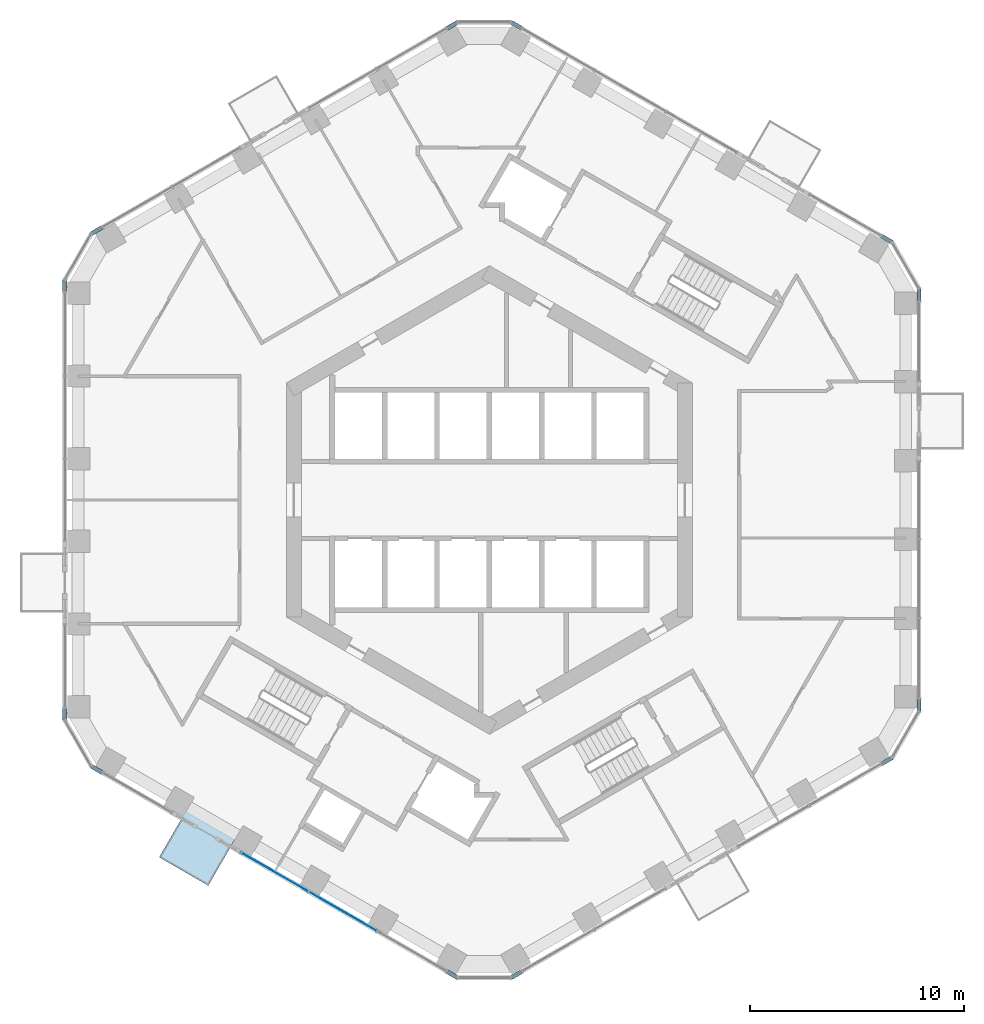
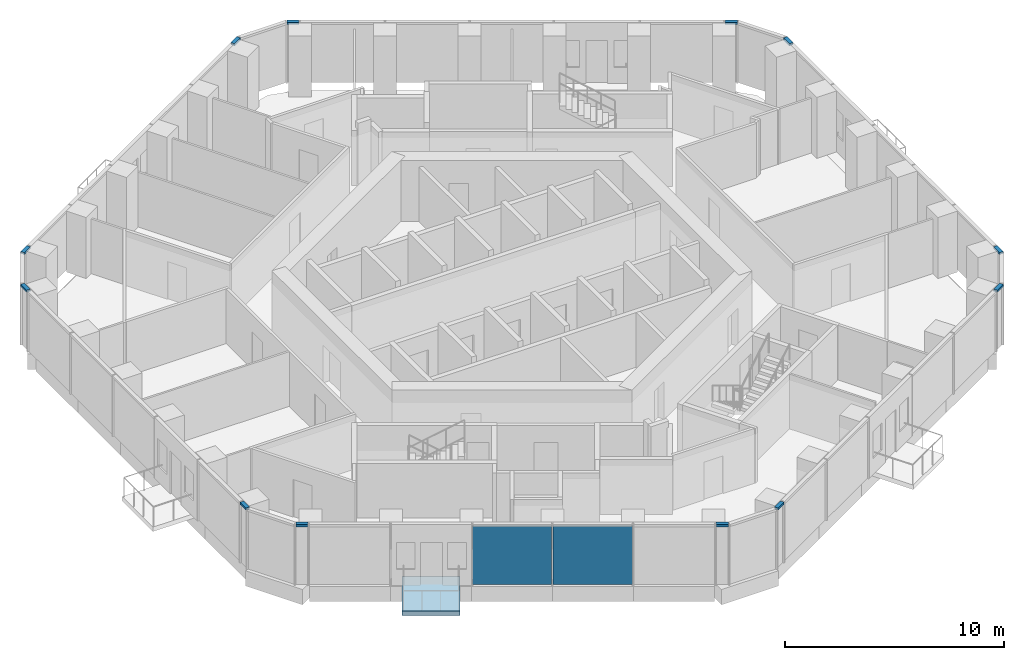
# One storey, part 8 of 20: 12 members, 2 plates, 1 slab, 7 elements without a shape of their own.
"""IFC4 building model written with IfcOpenShell, lengths in metres."""

from ifc_helpers import new_model, si_unit, direction, frame, origin, origin_2d, place, context, subcontext, project, spatial, polyline, rectangle, outline, extrude, material, layer, layer_set, material_profile, profile_set, type_object, element, aggregate, save


model = new_model("IFC4")

# Units and contexts
model_context = context("Model", 3, precision=1e-05, world=origin(), true_north=direction((0.0, 1.0)))
body_context = subcontext(model_context, "Body", "Model", "MODEL_VIEW")
ifc_project = project(units=[si_unit("LENGTHUNIT", "METRE"), si_unit("AREAUNIT", "SQUARE_METRE"), si_unit("VOLUMEUNIT", "CUBIC_METRE"), si_unit("PLANEANGLEUNIT", "RADIAN"), si_unit("MASSUNIT", "GRAM", prefix="KILO")], contexts=[model_context])

# Site, building, storey
site_placement = place(None, origin())
site = spatial("IfcSite", under=ifc_project, at=site_placement, CompositionType="ELEMENT")
building_placement = place(site_placement, origin())
building = spatial("IfcBuilding", under=site, at=building_placement, Name="Ayvan Gate Tower", CompositionType="ELEMENT")
storey_placement = place(building_placement, frame((0.0, 0.0, 96.699951171875)))
storey = spatial("IfcBuildingStorey", under=building, at=storey_placement, Name="L25", CompositionType="ELEMENT", Elevation=96.699951171875)

# Curtain wall, members
ifc_material_1 = material(Name="Bronze anodised aluminium", Category="aluminium")
ifc_layer_1 = layer(ifc_material_1, 0.199951171875)
ifc_layer_set_1 = layer_set([ifc_layer_1], Name="Bronze anodised aluminium")
curtain_wall_type_1 = type_object("IfcCurtainWallType", Name="Stick curtain wall CW-6", PredefinedType="NOTDEFINED", material=ifc_layer_set_1)
curtain_wall_1_placement = place(storey_placement, origin())
curtain_wall_1 = element("IfcCurtainWall", 1, at=curtain_wall_1_placement, inside=storey, type_object=curtain_wall_type_1, Name="Stick curtain wall CW-6 L25", PredefinedType="NOTDEFINED")
ifc_material_profile = material_profile(ifc_material_1, rectangle(XDim=0.199951171875, YDim=0.1201171875, at=origin_2d()), Name="Stick curtain wall CW-6 transom 200 x 120")
ifc_profile_set = profile_set([ifc_material_profile], Name="Bronze anodised aluminium")
member_type = type_object("IfcMemberType", Name="Stick curtain wall CW-6 transom 200 x 120", PredefinedType="USERDEFINED", material=ifc_profile_set)
member_1_placement = place(storey_placement, frame((-18.1318359375, 12.753173828125, 3.340087890625), z_axis=(-0.866104278045, -0.499863360881, 0.0), x_axis=(0.499863360881, -0.866104278045, 0.0)))
member_1 = element("IfcMember", 2, at=member_1_placement, type_object=member_type, Name="CW-6 transom 1", ObjectType="TRANSOM", PredefinedType="USERDEFINED", context=body_context, shape_type="SweptSolid", body=[
    extrude(rectangle(XDim=0.199951171875, YDim=0.1201171875, at=origin_2d()), origin(), (0.0, 0.0, 1.0), 0.550048828125),
])
member_2_placement = place(storey_placement, frame((-19.873291015625, 10.287353515625, 3.340087890625), z_axis=(0.0, -1.0, 0.0), x_axis=(1.0, 0.0, 0.0)))
member_2 = element("IfcMember", 3, at=member_2_placement, type_object=member_type, Name="CW-6 transom 3", ObjectType="TRANSOM", PredefinedType="USERDEFINED", context=body_context, shape_type="SweptSolid", body=[
    extrude(rectangle(XDim=0.199951171875, YDim=0.1201171875, at=origin_2d()), origin(), (0.0, 0.0, 1.0), 0.550048828125),
])
aggregate(curtain_wall_1, [member_1, member_2])

curtain_wall_2_placement = place(storey_placement, origin())
curtain_wall_2 = element("IfcCurtainWall", 4, at=curtain_wall_2_placement, inside=storey, type_object=curtain_wall_type_1, Name="Stick curtain wall CW-6 L25", PredefinedType="NOTDEFINED")
member_3_placement = place(storey_placement, frame((-19.873291015625, -9.7373046875, 3.340087890625), z_axis=(0.0, -1.0, 0.0), x_axis=(1.0, 0.0, 0.0)))
member_3 = element("IfcMember", 5, at=member_3_placement, type_object=member_type, Name="CW-6 transom 1", ObjectType="TRANSOM", PredefinedType="USERDEFINED", context=body_context, shape_type="SweptSolid", body=[
    extrude(rectangle(XDim=0.199951171875, YDim=0.1201171875, at=origin_2d()), origin(), (0.0, 0.0, 1.0), 0.550048828125),
])
member_4_placement = place(storey_placement, frame((-18.608154296875, -12.478271484375, 3.340087890625), z_axis=(0.866104278045, -0.499863360881, 0.0), x_axis=(0.499863360881, 0.866104278045, 0.0)))
member_4 = element("IfcMember", 6, at=member_4_placement, type_object=member_type, Name="CW-6 transom 3", ObjectType="TRANSOM", PredefinedType="USERDEFINED", context=body_context, shape_type="SweptSolid", body=[
    extrude(rectangle(XDim=0.199951171875, YDim=0.1201171875, at=origin_2d()), origin(), (0.0, 0.0, 1.0), 0.550048828125),
])
aggregate(curtain_wall_2, [member_3, member_4])

curtain_wall_3_placement = place(storey_placement, origin())
curtain_wall_3 = element("IfcCurtainWall", 7, at=curtain_wall_3_placement, inside=storey, type_object=curtain_wall_type_1, Name="Stick curtain wall CW-6 L25", PredefinedType="NOTDEFINED")
member_5_placement = place(storey_placement, frame((-1.978515625, -22.079345703125, 3.340087890625), z_axis=(0.866104278045, -0.499863360881, 0.0), x_axis=(0.499863360881, 0.866104278045, 0.0)))
member_5 = element("IfcMember", 8, at=member_5_placement, type_object=member_type, Name="CW-6 transom 1", ObjectType="TRANSOM", PredefinedType="USERDEFINED", context=body_context, shape_type="SweptSolid", body=[
    extrude(rectangle(XDim=0.199951171875, YDim=0.1201171875, at=origin_2d()), origin(), (0.0, 0.0, 1.0), 0.550048828125),
])
member_6_placement = place(storey_placement, frame((1.027587890625, -22.354248046875, 3.340087890625), z_axis=(0.866104278045, 0.499863360881, 0.0), x_axis=(-0.499863360881, 0.866104278045, 0.0)))
member_6 = element("IfcMember", 9, at=member_6_placement, type_object=member_type, Name="CW-6 transom 3", ObjectType="TRANSOM", PredefinedType="USERDEFINED", context=body_context, shape_type="SweptSolid", body=[
    extrude(rectangle(XDim=0.199951171875, YDim=0.1201171875, at=origin_2d()), origin(), (0.0, 0.0, 1.0), 0.550048828125),
])
aggregate(curtain_wall_3, [member_5, member_6])

curtain_wall_4_placement = place(storey_placement, origin())
curtain_wall_4 = element("IfcCurtainWall", 10, at=curtain_wall_4_placement, inside=storey, type_object=curtain_wall_type_1, Name="Stick curtain wall CW-6 L25", PredefinedType="NOTDEFINED")
member_7_placement = place(storey_placement, frame((18.369384765625, -12.342041015625, 3.340087890625), z_axis=(0.866104278045, 0.499863360881, 0.0), x_axis=(-0.499863360881, 0.866104278045, 0.0)))
member_7 = element("IfcMember", 11, at=member_7_placement, type_object=member_type, Name="CW-6 transom 1", ObjectType="TRANSOM", PredefinedType="USERDEFINED", context=body_context, shape_type="SweptSolid", body=[
    extrude(rectangle(XDim=0.199951171875, YDim=0.1201171875, at=origin_2d()), origin(), (0.0, 0.0, 1.0), 0.550048828125),
])
member_8_placement = place(storey_placement, frame((20.110595703125, -9.876220703125, 3.340087890625), z_axis=(0.0, 1.0, 0.0), x_axis=(-1.0, 0.0, 0.0)))
member_8 = element("IfcMember", 12, at=member_8_placement, type_object=member_type, Name="CW-6 transom 3", ObjectType="TRANSOM", PredefinedType="USERDEFINED", context=body_context, shape_type="SweptSolid", body=[
    extrude(rectangle(XDim=0.199951171875, YDim=0.1201171875, at=origin_2d()), origin(), (0.0, 0.0, 1.0), 0.550048828125),
])
aggregate(curtain_wall_4, [member_7, member_8])

curtain_wall_5_placement = place(storey_placement, origin())
curtain_wall_5 = element("IfcCurtainWall", 13, at=curtain_wall_5_placement, inside=storey, type_object=curtain_wall_type_1, Name="Stick curtain wall CW-6 L25", PredefinedType="NOTDEFINED")
member_9_placement = place(storey_placement, frame((20.110595703125, 9.326171875, 3.340087890625), z_axis=(0.0, 1.0, 0.0), x_axis=(-1.0, 0.0, 0.0)))
member_9 = element("IfcMember", 14, at=member_9_placement, type_object=member_type, Name="CW-6 transom 1", ObjectType="TRANSOM", PredefinedType="USERDEFINED", context=body_context, shape_type="SweptSolid", body=[
    extrude(rectangle(XDim=0.199951171875, YDim=0.1201171875, at=origin_2d()), origin(), (0.0, 0.0, 1.0), 0.550048828125),
])
member_10_placement = place(storey_placement, frame((18.845703125, 12.067138671875, 3.340087890625), z_axis=(-0.866104278045, 0.499863360881, 0.0), x_axis=(-0.499863360881, -0.866104278045, 0.0)))
member_10 = element("IfcMember", 15, at=member_10_placement, type_object=member_type, Name="CW-6 transom 3", ObjectType="TRANSOM", PredefinedType="USERDEFINED", context=body_context, shape_type="SweptSolid", body=[
    extrude(rectangle(XDim=0.199951171875, YDim=0.1201171875, at=origin_2d()), origin(), (0.0, 0.0, 1.0), 0.550048828125),
])
aggregate(curtain_wall_5, [member_9, member_10])

curtain_wall_6_placement = place(storey_placement, origin())
curtain_wall_6 = element("IfcCurtainWall", 16, at=curtain_wall_6_placement, inside=storey, type_object=curtain_wall_type_1, Name="Stick curtain wall CW-6 L25", PredefinedType="NOTDEFINED")
member_11_placement = place(storey_placement, frame((1.50390625, 22.079345703125, 3.340087890625), z_axis=(-0.866104278045, 0.499863360881, 0.0), x_axis=(-0.499863360881, -0.866104278045, 0.0)))
member_11 = element("IfcMember", 17, at=member_11_placement, type_object=member_type, Name="CW-6 transom 1", ObjectType="TRANSOM", PredefinedType="USERDEFINED", context=body_context, shape_type="SweptSolid", body=[
    extrude(rectangle(XDim=0.199951171875, YDim=0.1201171875, at=origin_2d()), origin(), (0.0, 0.0, 1.0), 0.550048828125),
])
member_12_placement = place(storey_placement, frame((-1.502197265625, 22.354248046875, 3.340087890625), z_axis=(-0.866104278045, -0.499863360881, 0.0), x_axis=(0.499863360881, -0.866104278045, 0.0)))
member_12 = element("IfcMember", 18, at=member_12_placement, type_object=member_type, Name="CW-6 transom 3", ObjectType="TRANSOM", PredefinedType="USERDEFINED", context=body_context, shape_type="SweptSolid", body=[
    extrude(rectangle(XDim=0.199951171875, YDim=0.1201171875, at=origin_2d()), origin(), (0.0, 0.0, 1.0), 0.550048828125),
])
aggregate(curtain_wall_6, [member_11, member_12])

# Slab
ifc_material_2 = material(Name="Concrete C40/50", Category="concrete")
ifc_layer_2 = layer(ifc_material_2, 0.25)
ifc_layer_set_2 = layer_set([ifc_layer_2], Name="Concrete C40/50")
slab_type = type_object("IfcSlabType", Name="Balcony slab 250", PredefinedType="FLOOR", material=ifc_layer_set_2)
slab_placement = place(storey_placement, frame((0.0, 0.0, -0.25)))
element("IfcSlab", 19, at=slab_placement, inside=storey, type_object=slab_type, Name="Balcony slab BAL-L25-4", PredefinedType="FLOOR", context=body_context, shape_type="SweptSolid", body=[
    extrude(outline(polyline([(-14.09130859375, -14.3642578125), (-11.798583984375, -15.68798828125), (-13.160888671875, -18.048095703125), (-15.453857421875, -16.724365234375), (-14.09130859375, -14.3642578125)])), origin(), (0.0, 0.0, 1.0), 0.25),
])

# Curtain wall, plates
ifc_layer_3 = layer(ifc_material_1, 0.199951171875)
ifc_layer_set_3 = layer_set([ifc_layer_3], Name="Bronze anodised aluminium")
curtain_wall_type_2 = type_object("IfcCurtainWallType", Name="Stick curtain wall CW-1", PredefinedType="NOTDEFINED", material=ifc_layer_set_3)
curtain_wall_7_placement = place(storey_placement, origin())
curtain_wall_7 = element("IfcCurtainWall", 20, at=curtain_wall_7_placement, inside=storey, type_object=curtain_wall_type_2, Name="Stick curtain wall CW-1 L25", PredefinedType="NOTDEFINED")
ifc_material_3 = material(Name="Clear low-iron laminated glass", Category="glass")
ifc_layer_4 = layer(ifc_material_3, 0.028076171875)
ifc_layer_set_4 = layer_set([ifc_layer_4], Name="Clear low-iron laminated glass")
plate_type = type_object("IfcPlateType", Name="Stick curtain wall CW-1 glass panel", PredefinedType="CURTAIN_PANEL", material=ifc_layer_set_4)
plate_1_placement = place(storey_placement, frame((-10.055419921875, -17.416259765625, 0.0), z_axis=(0.0, 0.0, 1.0), x_axis=(0.866025403784, -0.5, 0.0)))
plate_1 = element("IfcPlate", 21, at=plate_1_placement, type_object=plate_type, Name="CW-1 glass panel 1", PredefinedType="CURTAIN_PANEL", context=body_context, shape_type="SweptSolid", body=[
    extrude(rectangle(XDim=3.6240234375, YDim=0.028076171875, at=origin_2d()), origin(), (0.0, 0.0, 1.0), 3.280029296875),
])
plate_2_placement = place(storey_placement, frame((-6.864990234375, -19.25830078125, 0.0), z_axis=(0.0, 0.0, 1.0), x_axis=(0.866025403784, -0.5, 0.0)))
plate_2 = element("IfcPlate", 22, at=plate_2_placement, type_object=plate_type, Name="CW-1 glass panel 2", PredefinedType="CURTAIN_PANEL", context=body_context, shape_type="SweptSolid", body=[
    extrude(rectangle(XDim=3.6240234375, YDim=0.028076171875, at=origin_2d()), origin(), (0.0, 0.0, 1.0), 3.280029296875),
])
aggregate(curtain_wall_7, [plate_1, plate_2])

save(model, "model.ifc")
